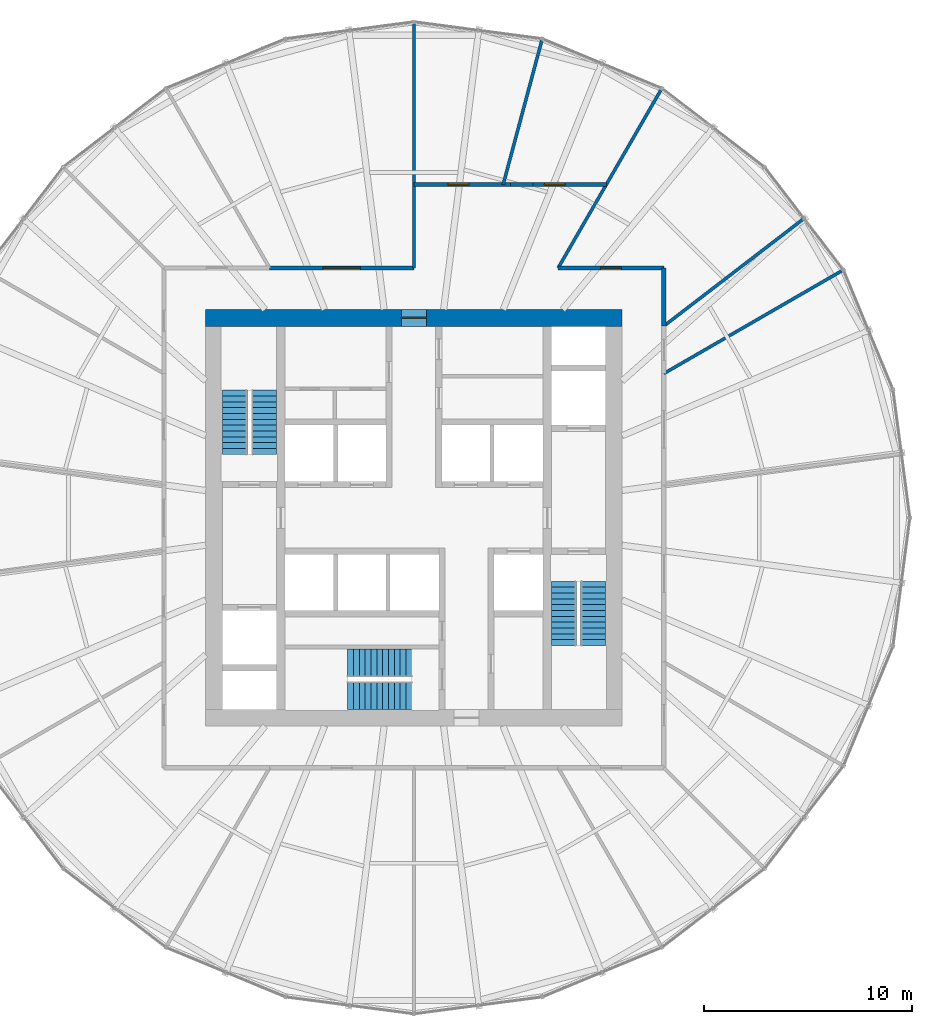
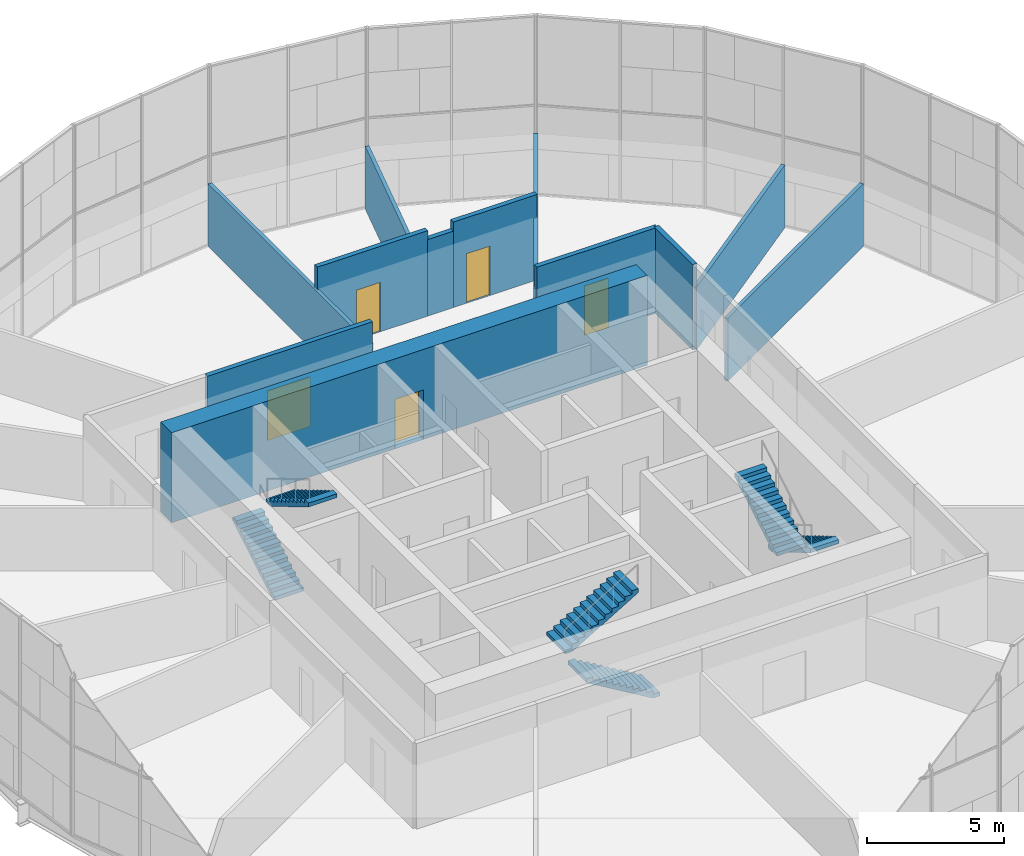
# One storey, part 17 of 18: 12 walls, 6 stair flights, 5 doors, 5 openings, 3 elements without a shape of their own.
"""IFC4 building model written with IfcOpenShell, lengths in metres."""

from ifc_helpers import new_model, si_unit, direction, frame, frame_2d, origin, place, context, subcontext, project, spatial, polyline, rectangle, outline, extrude, material, layer, layer_set, type_object, element, fill, aggregate, save


model = new_model("IFC4")

# Units and contexts
model_context = context("Model", 3, precision=1e-05, world=origin(), true_north=direction((0.0, 1.0)))
body_context = subcontext(model_context, "Body", "Model", "MODEL_VIEW")
ifc_project = project(units=[si_unit("LENGTHUNIT", "METRE"), si_unit("AREAUNIT", "SQUARE_METRE"), si_unit("VOLUMEUNIT", "CUBIC_METRE"), si_unit("PLANEANGLEUNIT", "RADIAN"), si_unit("MASSUNIT", "GRAM", prefix="KILO")], contexts=[model_context])

# Site, building, storey
site_placement = place(None, origin())
site = spatial("IfcSite", under=ifc_project, at=site_placement, CompositionType="ELEMENT")
building_placement = place(site_placement, origin())
building = spatial("IfcBuilding", under=site, at=building_placement, Name="Golbaran Civic Tower", CompositionType="ELEMENT")
storey_placement = place(building_placement, frame((0.0, 0.0, 61.0)))
storey = spatial("IfcBuildingStorey", under=building, at=storey_placement, Name="L14", CompositionType="ELEMENT", Elevation=61.0)

# Wall, opening, door
ifc_material_1 = material(Name="Concrete C50/60", Category="concrete")
ifc_layer_1 = layer(ifc_material_1, 0.800048828125, Name="Concrete C50/60")
ifc_layer_set_1 = layer_set([ifc_layer_1], Name="Concrete C50/60")
wall_type_1 = type_object("IfcWallType", Name="CORE WALL CONCRETE 800", PredefinedType="SOLIDWALL", material=ifc_layer_set_1)
wall_1_placement = place(storey_placement, frame((-10.0, 9.60009765625, 0.0), z_axis=(0.0, 0.0, 1.0), x_axis=(1.0, 0.0, 0.0)))
wall_1 = element("IfcWall", 1, at=wall_1_placement, inside=storey, type_object=wall_type_1, Name="Core wall CN L14", PredefinedType="SOLIDWALL", context=body_context, shape_type="SweptSolid", body=[
    extrude(rectangle(XDim=20.0, YDim=0.800048828125, at=frame_2d((10.0, 0.0))), origin(), (0.0, 0.0, 1.0), 4.0),
])
opening_1_placement = place(wall_1_placement, frame((9.39990234375, 0.0, 0.0)))
opening_1 = element("IfcOpeningElement", 2, at=opening_1_placement, cuts=wall_1, Name="Opening L14.CN", PredefinedType="OPENING", context=body_context, shape_type="SweptSolid", body=[
    extrude(rectangle(XDim=1.199951171875, YDim=2.199951171875, at=frame_2d((0.60009765625, 1.10009765625))), frame((0.0, 0.409912109375, 0.0), z_axis=(0.0, -1.0, 0.0), x_axis=(1.0, 0.0, 0.0)), (0.0, 0.0, 1.0), 0.820068359375),
])
ifc_material_2 = material(Name="Timber door set in steel frame", Category="steel")
door_type_1 = type_object("IfcDoorType", Name="CORE DOOR 1200x2200", OperationType="DOUBLE_DOOR_SINGLE_SWING", PredefinedType="DOOR", material=ifc_material_2)
door_1_placement = place(opening_1_placement, origin())
door_1 = element("IfcDoor", 3, at=door_1_placement, inside=storey, type_object=door_type_1, Name="Core door north", OperationType="DOUBLE_DOOR_SINGLE_SWING", OverallHeight=2.199951171875, OverallWidth=1.199951171875, PredefinedType="DOOR", context=body_context, shape_type="SweptSolid", body=[
    extrude(rectangle(XDim=1.199951171875, YDim=2.199951171875, at=frame_2d((0.60009765625, 1.10009765625))), frame((0.0, 0.02490234375, 0.0), z_axis=(0.0, -1.0, 0.0), x_axis=(1.0, 0.0, 0.0)), (0.0, 0.0, 1.0), 0.050048828125),
])
fill(opening_1, door_1)

# Wall
ifc_material_3 = material(Name="Gypsum board on steel studs, fire-rated", Category="steel")
ifc_layer_2 = layer(ifc_material_3, 0.199951171875, Name="Gypsum board on steel studs, fire-rated")
ifc_layer_set_2 = layer_set([ifc_layer_2], Name="Gypsum board on steel studs, fire-rated")
wall_type_2 = type_object("IfcWallType", Name="CORRIDOR WALL 200", PredefinedType="PARTITIONING", material=ifc_layer_set_2)
wall_2_placement = place(storey_placement, frame((12.0, 9.2080078125, 0.0), z_axis=(0.0, 0.0, 1.0), x_axis=(0.0, 1.0, 0.0)))
element("IfcWall", 4, at=wall_2_placement, inside=storey, type_object=wall_type_2, Name="Corridor wall L14", PredefinedType="PARTITIONING", context=body_context, shape_type="SweptSolid", body=[
    extrude(rectangle(XDim=2.7919921875, YDim=0.199951171875, at=frame_2d((1.39599609375, 0.0))), origin(), (0.0, 0.0, 1.0), 3.800048828125),
])

# Wall, opening, door
wall_3_placement = place(storey_placement, frame((12.0, 12.0, 0.0), z_axis=(0.0, 0.0, 1.0), x_axis=(-1.0, 0.0, 0.0)))
wall_3 = element("IfcWall", 5, at=wall_3_placement, inside=storey, type_object=wall_type_2, Name="Corridor wall L14", PredefinedType="PARTITIONING", context=body_context, shape_type="SweptSolid", body=[
    extrude(rectangle(XDim=5.07177734375, YDim=0.199951171875, at=frame_2d((2.535888671875, 0.0))), origin(), (0.0, 0.0, 1.0), 3.800048828125),
])
opening_2_placement = place(wall_3_placement, frame((2.035888671875, 0.0, 0.0)))
opening_2 = element("IfcOpeningElement", 6, at=opening_2_placement, cuts=wall_3, Name="Opening L14.06", PredefinedType="OPENING", context=body_context, shape_type="SweptSolid", body=[
    extrude(rectangle(XDim=1.0, YDim=2.199951171875, at=frame_2d((0.5, 1.10009765625))), frame((0.0, 0.10986328125, 0.0), z_axis=(0.0, -1.0, 0.0), x_axis=(1.0, 0.0, 0.0)), (0.0, 0.0, 1.0), 0.219970703125),
])
door_type_2 = type_object("IfcDoorType", Name="OFFICE DOOR 1000x2200", OperationType="SINGLE_SWING_LEFT", PredefinedType="DOOR", material=ifc_material_2)
door_2_placement = place(opening_2_placement, origin())
door_2 = element("IfcDoor", 7, at=door_2_placement, inside=storey, type_object=door_type_2, Name="Prayer Room door L14", OperationType="SINGLE_SWING_RIGHT", OverallHeight=2.199951171875, OverallWidth=1.0, PredefinedType="DOOR", context=body_context, shape_type="SweptSolid", body=[
    extrude(rectangle(XDim=1.0, YDim=2.199951171875, at=frame_2d((0.5, 1.10009765625))), frame((0.0, 0.02490234375, 0.0), z_axis=(0.0, -1.0, 0.0), x_axis=(1.0, 0.0, 0.0)), (0.0, 0.0, 1.0), 0.050048828125),
])
fill(opening_2, door_2)

wall_4_placement = place(storey_placement, frame((0.0, 12.0, 0.0), z_axis=(0.0, 0.0, 1.0), x_axis=(-1.0, 0.0, 0.0)))
wall_4 = element("IfcWall", 8, at=wall_4_placement, inside=storey, type_object=wall_type_2, Name="Corridor wall L14", PredefinedType="PARTITIONING", context=body_context, shape_type="SweptSolid", body=[
    extrude(rectangle(XDim=6.92822265625, YDim=0.199951171875, at=frame_2d((3.464111328125, 0.0))), origin(), (0.0, 0.0, 1.0), 3.800048828125),
])
opening_3_placement = place(wall_4_placement, frame((2.564208984375, 0.0, 0.0)))
opening_3 = element("IfcOpeningElement", 9, at=opening_3_placement, cuts=wall_4, Name="Opening L14.07", PredefinedType="OPENING", context=body_context, shape_type="SweptSolid", body=[
    extrude(rectangle(XDim=1.800048828125, YDim=2.199951171875, at=frame_2d((0.89990234375, 1.10009765625))), frame((0.0, 0.10986328125, 0.0), z_axis=(0.0, -1.0, 0.0), x_axis=(1.0, 0.0, 0.0)), (0.0, 0.0, 1.0), 0.219970703125),
])
door_type_3 = type_object("IfcDoorType", Name="OFFICE DOUBLE DOOR 1800x2200", OperationType="DOUBLE_DOOR_SINGLE_SWING", PredefinedType="DOOR", material=ifc_material_2)
door_3_placement = place(opening_3_placement, origin())
door_3 = element("IfcDoor", 10, at=door_3_placement, inside=storey, type_object=door_type_3, Name="Open Office door L14", OperationType="DOUBLE_DOOR_SINGLE_SWING", OverallHeight=2.199951171875, OverallWidth=1.800048828125, PredefinedType="DOOR", context=body_context, shape_type="SweptSolid", body=[
    extrude(rectangle(XDim=1.800048828125, YDim=2.199951171875, at=frame_2d((0.89990234375, 1.10009765625))), frame((0.0, 0.02490234375, 0.0), z_axis=(0.0, -1.0, 0.0), x_axis=(1.0, 0.0, 0.0)), (0.0, 0.0, 1.0), 0.050048828125),
])
fill(opening_3, door_3)

ifc_material_4 = material(Name="Gypsum board on steel studs, fire-rated, glazed panels", Category="steel")
ifc_layer_3 = layer(ifc_material_4, 0.199951171875, Name="Gypsum board on steel studs, fire-rated, glazed panels")
ifc_layer_set_3 = layer_set([ifc_layer_3], Name="Gypsum board on steel studs, fire-rated, glazed panels")
wall_type_3 = type_object("IfcWallType", Name="GALLERY WALL 200", PredefinedType="PARTITIONING", material=ifc_layer_set_3)
wall_5_placement = place(storey_placement, frame((9.237548828125, 16.0, 0.0), z_axis=(0.0, 0.0, 1.0), x_axis=(-1.0, 0.0, 0.0)))
wall_5 = element("IfcWall", 11, at=wall_5_placement, inside=storey, type_object=wall_type_3, Name="Gallery wall L14", PredefinedType="PARTITIONING", context=body_context, shape_type="SweptSolid", body=[
    extrude(rectangle(XDim=3.5185546875, YDim=0.199951171875, at=frame_2d((1.75927734375, 0.0))), origin(), (0.0, 0.0, 1.0), 3.800048828125),
])
opening_4_placement = place(wall_5_placement, frame((1.97509765625, 0.0, 0.0)))
opening_4 = element("IfcOpeningElement", 12, at=opening_4_placement, cuts=wall_5, Name="Opening L14.01", PredefinedType="OPENING", context=body_context, shape_type="SweptSolid", body=[
    extrude(rectangle(XDim=1.0, YDim=2.199951171875, at=frame_2d((0.5, 1.10009765625))), frame((0.0, 0.10986328125, 0.0), z_axis=(0.0, -1.0, 0.0), x_axis=(1.0, 0.0, 0.0)), (0.0, 0.0, 1.0), 0.219970703125),
])
door_4_placement = place(opening_4_placement, origin())
door_4 = element("IfcDoor", 13, at=door_4_placement, inside=storey, type_object=door_type_2, Name="Director's Office door L14", OperationType="SINGLE_SWING_LEFT", OverallHeight=2.199951171875, OverallWidth=1.0, PredefinedType="DOOR", context=body_context, shape_type="SweptSolid", body=[
    extrude(rectangle(XDim=1.0, YDim=2.199951171875, at=frame_2d((0.5, 1.10009765625))), frame((0.0, 0.02490234375, 0.0), z_axis=(0.0, -1.0, 0.0), x_axis=(1.0, 0.0, 0.0)), (0.0, 0.0, 1.0), 0.050048828125),
])
fill(opening_4, door_4)

# Wall
wall_6_placement = place(storey_placement, frame((5.718994140625, 16.0, 0.0), z_axis=(0.0, 0.0, 1.0), x_axis=(-1.0, 0.0, 0.0)))
element("IfcWall", 14, at=wall_6_placement, inside=storey, type_object=wall_type_3, Name="Gallery wall L14 (part 2)", PredefinedType="PARTITIONING", context=body_context, shape_type="SweptSolid", body=[
    extrude(rectangle(XDim=1.080810546875, YDim=0.199951171875, at=frame_2d((0.54052734375, 0.0))), origin(), (0.0, 0.0, 1.0), 3.39990234375),
])

# Wall, opening, door
wall_7_placement = place(storey_placement, frame((4.63818359375, 16.0, 0.0), z_axis=(0.0, 0.0, 1.0), x_axis=(-1.0, 0.0, 0.0)))
wall_7 = element("IfcWall", 15, at=wall_7_placement, inside=storey, type_object=wall_type_3, Name="Gallery wall L14 (part 3)", PredefinedType="PARTITIONING", context=body_context, shape_type="SweptSolid", body=[
    extrude(rectangle(XDim=4.63818359375, YDim=0.199951171875, at=frame_2d((2.319091796875, 0.0))), origin(), (0.0, 0.0, 1.0), 3.800048828125),
])
opening_5_placement = place(wall_7_placement, frame((1.99462890625, 0.0, 0.0)))
opening_5 = element("IfcOpeningElement", 16, at=opening_5_placement, cuts=wall_7, Name="Opening L14.02", PredefinedType="OPENING", context=body_context, shape_type="SweptSolid", body=[
    extrude(rectangle(XDim=1.0, YDim=2.199951171875, at=frame_2d((0.5, 1.10009765625))), frame((0.0, 0.10986328125, 0.0), z_axis=(0.0, -1.0, 0.0), x_axis=(1.0, 0.0, 0.0)), (0.0, 0.0, 1.0), 0.219970703125),
])
door_5_placement = place(opening_5_placement, origin())
door_5 = element("IfcDoor", 17, at=door_5_placement, inside=storey, type_object=door_type_2, Name="Office door L14", OperationType="SINGLE_SWING_RIGHT", OverallHeight=2.199951171875, OverallWidth=1.0, PredefinedType="DOOR", context=body_context, shape_type="SweptSolid", body=[
    extrude(rectangle(XDim=1.0, YDim=2.199951171875, at=frame_2d((0.5, 1.10009765625))), frame((0.0, 0.02490234375, 0.0), z_axis=(0.0, -1.0, 0.0), x_axis=(1.0, 0.0, 0.0)), (0.0, 0.0, 1.0), 0.050048828125),
])
fill(opening_5, door_5)

# Walls
ifc_material_5 = material(Name="Gypsum board on steel studs", Category="steel")
ifc_layer_4 = layer(ifc_material_5, 0.14990234375, Name="Gypsum board on steel studs")
ifc_layer_set_4 = layer_set([ifc_layer_4], Name="Gypsum board on steel studs")
wall_type_4 = type_object("IfcWallType", Name="OFFICE PARTITION 150", PredefinedType="PARTITIONING", material=ifc_layer_set_4)
wall_8_placement = place(storey_placement, frame((12.0, 6.92822265625, 0.0), z_axis=(0.0, 0.0, 1.0), x_axis=(0.866031940362, 0.499988678145, 0.0)))
element("IfcWall", 18, at=wall_8_placement, inside=storey, type_object=wall_type_4, Name="Partition 30 L14", PredefinedType="PARTITIONING", context=body_context, shape_type="SweptSolid", body=[
    extrude(rectangle(XDim=9.869873046875, YDim=0.14990234375, at=frame_2d((4.93505859375, 0.0))), origin(), (0.0, 0.0, 1.0), 2.7900390625),
])
wall_9_placement = place(storey_placement, frame((12.0, 9.2080078125, 0.0), z_axis=(0.0, 0.0, 1.0), x_axis=(0.793361570688, 0.608750702797, 0.0)))
element("IfcWall", 19, at=wall_9_placement, inside=storey, type_object=wall_type_4, Name="Partition 37.5 L14", PredefinedType="PARTITIONING", context=body_context, shape_type="SweptSolid", body=[
    extrude(rectangle(XDim=8.397705078125, YDim=0.14990234375, at=frame_2d((4.19873046875, 0.0))), origin(), (0.0, 0.0, 1.0), 2.7900390625),
])
wall_10_placement = place(storey_placement, frame((6.92822265625, 12.0, 0.0), z_axis=(0.0, 0.0, 1.0), x_axis=(0.499988678145, 0.866031940362, 0.0)))
element("IfcWall", 20, at=wall_10_placement, inside=storey, type_object=wall_type_4, Name="Partition 60 L14", PredefinedType="PARTITIONING", context=body_context, shape_type="SweptSolid", body=[
    extrude(rectangle(XDim=9.869873046875, YDim=0.14990234375, at=frame_2d((4.93505859375, 0.0))), origin(), (0.0, 0.0, 1.0), 2.7900390625),
])
wall_11_placement = place(storey_placement, frame((0.0, 12.0, 0.0), z_axis=(0.0, 0.0, 1.0), x_axis=(0.0, 1.0, 0.0)))
element("IfcWall", 21, at=wall_11_placement, inside=storey, type_object=wall_type_4, Name="Partition 90 L14", PredefinedType="PARTITIONING", context=body_context, shape_type="SweptSolid", body=[
    extrude(rectangle(XDim=11.726318359375, YDim=0.14990234375, at=frame_2d((5.86328125, 0.0))), origin(), (0.0, 0.0, 1.0), 2.7900390625),
])
wall_12_placement = place(storey_placement, frame((4.287109375, 16.0, 0.0), z_axis=(0.0, 0.0, 1.0), x_axis=(0.258840025144, 0.96592020446, 0.0)))
element("IfcWall", 22, at=wall_12_placement, inside=storey, type_object=wall_type_4, Name="Partition 75 L14", PredefinedType="PARTITIONING", context=body_context, shape_type="SweptSolid", body=[
    extrude(rectangle(XDim=7.161865234375, YDim=0.14990234375, at=frame_2d((3.5810546875, 0.0))), origin(), (0.0, 0.0, 1.0), 2.7900390625),
])

# Stair, stair flights
ifc_material_6 = material(Name="Concrete C35/45", Category="concrete")
stair_type_1 = type_object("IfcStairType", Name="EXIT STAIR 2600 x 7450, 4000 RISE", PredefinedType="HALF_TURN_STAIR", material=ifc_material_6)
stair_1_placement = place(storey_placement, origin())
stair_1 = element("IfcStair", 23, at=stair_1_placement, inside=storey, type_object=stair_type_1, Name="Stair S1 L14", PredefinedType="HALF_TURN_STAIR")
stair_flight_type_1 = type_object("IfcStairFlightType", Name="STAIR FLIGHT 1200 WIDE", PredefinedType="STRAIGHT", material=ifc_material_6)
stair_flight_1_placement = place(storey_placement, frame((-8.60009765625, 3.050048828125, 0.0), z_axis=(0.0, 0.0, 1.0), x_axis=(0.0, 1.0, 0.0)))
stair_flight_1 = element("IfcStairFlight", 24, at=stair_flight_1_placement, type_object=stair_flight_type_1, Name="ST26074-40 flight 1", NumberOfRisers=12, NumberOfTreads=11, PredefinedType="STRAIGHT", RiserHeight=0.166666667, TreadLength=0.28, context=body_context, shape_type="SweptSolid", body=[
    extrude(outline(polyline([(0.0, 0.0), (0.0, 0.166748046875), (0.280029296875, 0.166748046875), (0.280029296875, 0.333251953125), (0.56005859375, 0.333251953125), (0.56005859375, 0.5), (0.840087890625, 0.5), (0.840087890625, 0.666748046875), (1.1201171875, 0.666748046875), (1.1201171875, 0.833251953125), (1.39990234375, 0.833251953125), (1.39990234375, 1.0), (1.679931640625, 1.0), (1.679931640625, 1.166748046875), (1.9599609375, 1.166748046875), (1.9599609375, 1.333251953125), (2.239990234375, 1.333251953125), (2.239990234375, 1.5), (2.52001953125, 1.5), (2.52001953125, 1.666748046875), (2.800048828125, 1.666748046875), (2.800048828125, 1.833251953125), (3.080078125, 1.833251953125), (3.080078125, 2.0), (3.080078125, 1.658935546875), (0.29296875, 0.0), (0.0, 0.0)])), frame((0.0, 0.60009765625, 0.0), z_axis=(0.0, -1.0, 0.0), x_axis=(1.0, 0.0, 0.0)), (0.0, 0.0, 1.0), 1.199951171875),
])
stair_flight_2_placement = place(storey_placement, frame((-7.199951171875, 6.1298828125, 2.0), z_axis=(0.0, 0.0, 1.0), x_axis=(0.0, -1.0, 0.0)))
stair_flight_2 = element("IfcStairFlight", 25, at=stair_flight_2_placement, type_object=stair_flight_type_1, Name="ST26074-40 flight 2", NumberOfRisers=12, NumberOfTreads=11, PredefinedType="STRAIGHT", RiserHeight=0.166666667, TreadLength=0.28, context=body_context, shape_type="SweptSolid", body=[
    extrude(outline(polyline([(0.0, 0.0), (0.0, 0.166748046875), (0.280029296875, 0.166748046875), (0.280029296875, 0.333251953125), (0.56005859375, 0.333251953125), (0.56005859375, 0.5), (0.840087890625, 0.5), (0.840087890625, 0.666748046875), (1.1201171875, 0.666748046875), (1.1201171875, 0.833251953125), (1.39990234375, 0.833251953125), (1.39990234375, 1.0), (1.679931640625, 1.0), (1.679931640625, 1.166748046875), (1.9599609375, 1.166748046875), (1.9599609375, 1.333251953125), (2.239990234375, 1.333251953125), (2.239990234375, 1.5), (2.52001953125, 1.5), (2.52001953125, 1.666748046875), (2.800048828125, 1.666748046875), (2.800048828125, 1.833251953125), (3.080078125, 1.833251953125), (3.080078125, 2.0), (3.080078125, 1.658935546875), (0.29296875, 0.0), (0.0, 0.0)])), frame((0.0, 0.60009765625, 0.0), z_axis=(0.0, -1.0, 0.0), x_axis=(1.0, 0.0, 0.0)), (0.0, 0.0, 1.0), 1.199951171875),
])
aggregate(stair_1, [stair_flight_1, stair_flight_2])

stair_2_placement = place(storey_placement, origin())
stair_2 = element("IfcStair", 26, at=stair_2_placement, inside=storey, type_object=stair_type_1, Name="Stair S2 L14", PredefinedType="HALF_TURN_STAIR")
stair_flight_3_placement = place(storey_placement, frame((8.60009765625, -3.050048828125, 0.0), z_axis=(0.0, 0.0, 1.0), x_axis=(0.0, -1.0, 0.0)))
stair_flight_3 = element("IfcStairFlight", 27, at=stair_flight_3_placement, type_object=stair_flight_type_1, Name="ST26074-40 flight 1", NumberOfRisers=12, NumberOfTreads=11, PredefinedType="STRAIGHT", RiserHeight=0.166666667, TreadLength=0.28, context=body_context, shape_type="SweptSolid", body=[
    extrude(outline(polyline([(0.0, 0.0), (0.0, 0.166748046875), (0.280029296875, 0.166748046875), (0.280029296875, 0.333251953125), (0.56005859375, 0.333251953125), (0.56005859375, 0.5), (0.840087890625, 0.5), (0.840087890625, 0.666748046875), (1.1201171875, 0.666748046875), (1.1201171875, 0.833251953125), (1.39990234375, 0.833251953125), (1.39990234375, 1.0), (1.679931640625, 1.0), (1.679931640625, 1.166748046875), (1.9599609375, 1.166748046875), (1.9599609375, 1.333251953125), (2.239990234375, 1.333251953125), (2.239990234375, 1.5), (2.52001953125, 1.5), (2.52001953125, 1.666748046875), (2.800048828125, 1.666748046875), (2.800048828125, 1.833251953125), (3.080078125, 1.833251953125), (3.080078125, 2.0), (3.080078125, 1.658935546875), (0.29296875, 0.0), (0.0, 0.0)])), frame((0.0, 0.60009765625, 0.0), z_axis=(0.0, -1.0, 0.0), x_axis=(1.0, 0.0, 0.0)), (0.0, 0.0, 1.0), 1.199951171875),
])
stair_flight_4_placement = place(storey_placement, frame((7.199951171875, -6.1298828125, 2.0), z_axis=(0.0, 0.0, 1.0), x_axis=(0.0, 1.0, 0.0)))
stair_flight_4 = element("IfcStairFlight", 28, at=stair_flight_4_placement, type_object=stair_flight_type_1, Name="ST26074-40 flight 2", NumberOfRisers=12, NumberOfTreads=11, PredefinedType="STRAIGHT", RiserHeight=0.166666667, TreadLength=0.28, context=body_context, shape_type="SweptSolid", body=[
    extrude(outline(polyline([(0.0, 0.0), (0.0, 0.166748046875), (0.280029296875, 0.166748046875), (0.280029296875, 0.333251953125), (0.56005859375, 0.333251953125), (0.56005859375, 0.5), (0.840087890625, 0.5), (0.840087890625, 0.666748046875), (1.1201171875, 0.666748046875), (1.1201171875, 0.833251953125), (1.39990234375, 0.833251953125), (1.39990234375, 1.0), (1.679931640625, 1.0), (1.679931640625, 1.166748046875), (1.9599609375, 1.166748046875), (1.9599609375, 1.333251953125), (2.239990234375, 1.333251953125), (2.239990234375, 1.5), (2.52001953125, 1.5), (2.52001953125, 1.666748046875), (2.800048828125, 1.666748046875), (2.800048828125, 1.833251953125), (3.080078125, 1.833251953125), (3.080078125, 2.0), (3.080078125, 1.658935546875), (0.29296875, 0.0), (0.0, 0.0)])), frame((0.0, 0.60009765625, 0.0), z_axis=(0.0, -1.0, 0.0), x_axis=(1.0, 0.0, 0.0)), (0.0, 0.0, 1.0), 1.199951171875),
])
aggregate(stair_2, [stair_flight_3, stair_flight_4])

stair_type_2 = type_object("IfcStairType", Name="EXIT STAIR 2900 x 7400, 4000 RISE", PredefinedType="HALF_TURN_STAIR", material=ifc_material_6)
stair_3_placement = place(storey_placement, origin())
stair_3 = element("IfcStair", 29, at=stair_3_placement, inside=storey, type_object=stair_type_2, Name="Stair S3 L14", PredefinedType="HALF_TURN_STAIR")
stair_flight_type_2 = type_object("IfcStairFlightType", Name="STAIR FLIGHT 1350 WIDE", PredefinedType="STRAIGHT", material=ifc_material_6)
stair_flight_5_placement = place(storey_placement, frame((-0.10009765625, -8.52490234375, 0.0), z_axis=(0.0, 0.0, 1.0), x_axis=(-1.0, 0.0, 0.0)))
stair_flight_5 = element("IfcStairFlight", 30, at=stair_flight_5_placement, type_object=stair_flight_type_2, Name="ST29074-40 flight 1", NumberOfRisers=12, NumberOfTreads=11, PredefinedType="STRAIGHT", RiserHeight=0.166666667, TreadLength=0.28, context=body_context, shape_type="SweptSolid", body=[
    extrude(outline(polyline([(0.0, 0.0), (0.0, 0.166748046875), (0.280029296875, 0.166748046875), (0.280029296875, 0.333251953125), (0.56005859375, 0.333251953125), (0.56005859375, 0.5), (0.840087890625, 0.5), (0.840087890625, 0.666748046875), (1.1201171875, 0.666748046875), (1.1201171875, 0.833251953125), (1.39990234375, 0.833251953125), (1.39990234375, 1.0), (1.679931640625, 1.0), (1.679931640625, 1.166748046875), (1.9599609375, 1.166748046875), (1.9599609375, 1.333251953125), (2.239990234375, 1.333251953125), (2.239990234375, 1.5), (2.52001953125, 1.5), (2.52001953125, 1.666748046875), (2.800048828125, 1.666748046875), (2.800048828125, 1.833251953125), (3.080078125, 1.833251953125), (3.080078125, 2.0), (3.080078125, 1.658935546875), (0.29296875, 0.0), (0.0, 0.0)])), frame((0.0, 0.675048828125, 0.0), z_axis=(0.0, -1.0, 0.0), x_axis=(1.0, 0.0, 0.0)), (0.0, 0.0, 1.0), 1.35009765625),
])
stair_flight_6_placement = place(storey_placement, frame((-3.179931640625, -6.97509765625, 2.0), z_axis=(0.0, 0.0, 1.0), x_axis=(1.0, 0.0, 0.0)))
stair_flight_6 = element("IfcStairFlight", 31, at=stair_flight_6_placement, type_object=stair_flight_type_2, Name="ST29074-40 flight 2", NumberOfRisers=12, NumberOfTreads=11, PredefinedType="STRAIGHT", RiserHeight=0.166666667, TreadLength=0.28, context=body_context, shape_type="SweptSolid", body=[
    extrude(outline(polyline([(0.0, 0.0), (0.0, 0.166748046875), (0.280029296875, 0.166748046875), (0.280029296875, 0.333251953125), (0.56005859375, 0.333251953125), (0.56005859375, 0.5), (0.840087890625, 0.5), (0.840087890625, 0.666748046875), (1.1201171875, 0.666748046875), (1.1201171875, 0.833251953125), (1.39990234375, 0.833251953125), (1.39990234375, 1.0), (1.679931640625, 1.0), (1.679931640625, 1.166748046875), (1.9599609375, 1.166748046875), (1.9599609375, 1.333251953125), (2.239990234375, 1.333251953125), (2.239990234375, 1.5), (2.52001953125, 1.5), (2.52001953125, 1.666748046875), (2.800048828125, 1.666748046875), (2.800048828125, 1.833251953125), (3.080078125, 1.833251953125), (3.080078125, 2.0), (3.080078125, 1.658935546875), (0.29296875, 0.0), (0.0, 0.0)])), frame((0.0, 0.675048828125, 0.0), z_axis=(0.0, -1.0, 0.0), x_axis=(1.0, 0.0, 0.0)), (0.0, 0.0, 1.0), 1.35009765625),
])
aggregate(stair_3, [stair_flight_5, stair_flight_6])

save(model, "model.ifc")
